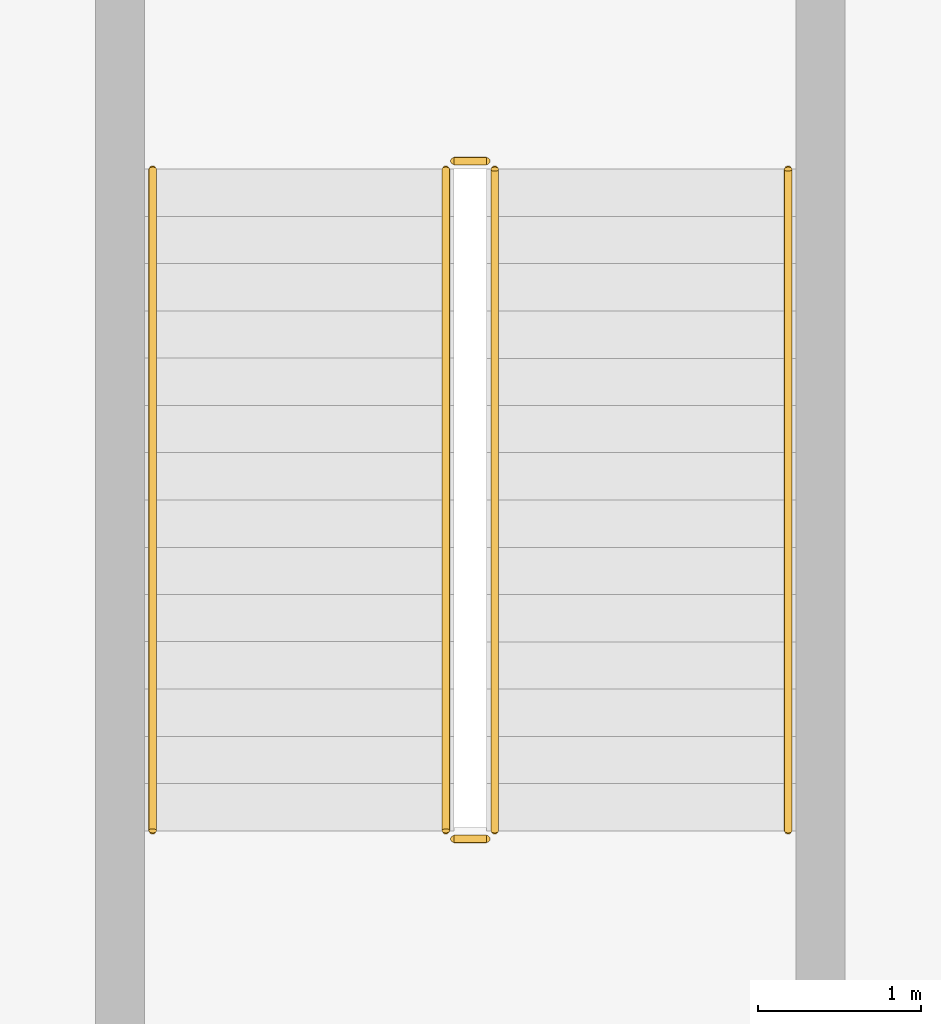
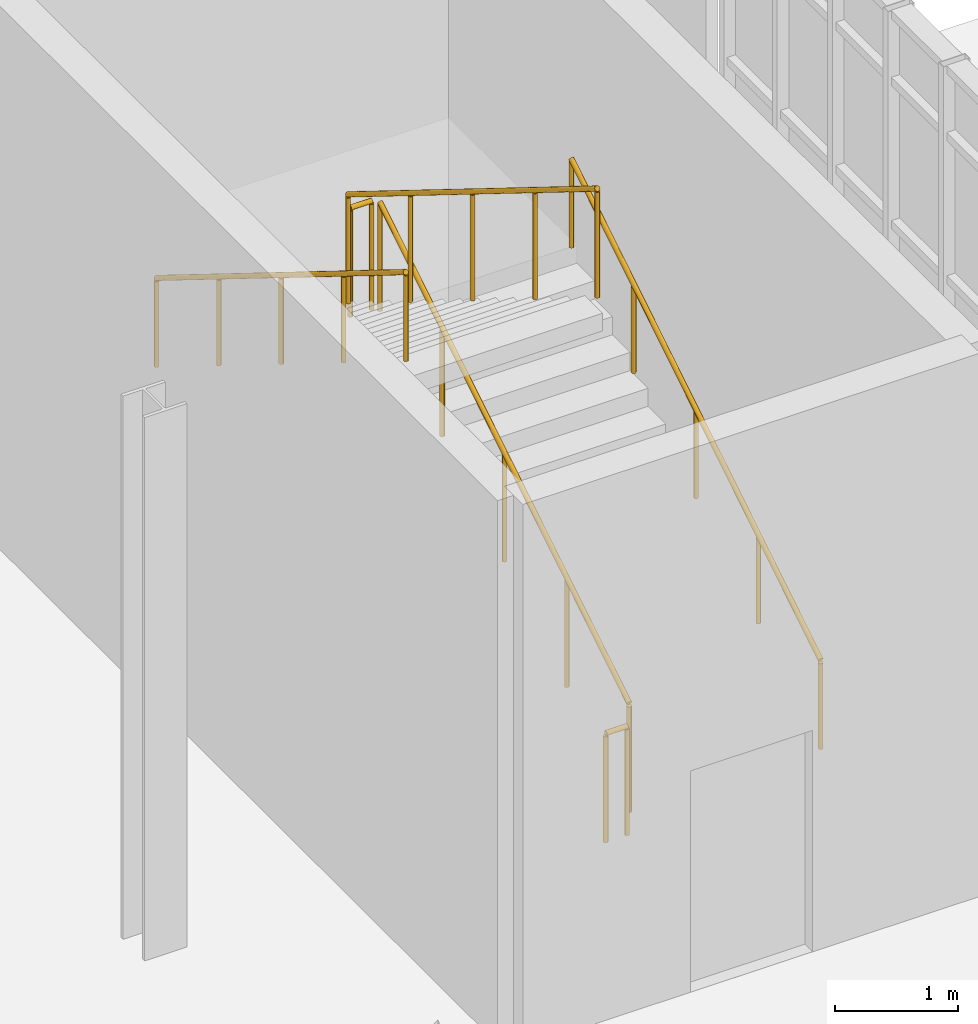
# One storey, part 187 of 189: 6 railings.
"""IFC4 building model written with IfcOpenShell, lengths in metres."""

from ifc_helpers import new_model, si_unit, direction, frame, origin, origin_2d, place, context, subcontext, project, spatial, circle, extrude, material, type_object, element, save


model = new_model("IFC4")

# Units and contexts
model_context = context("Model", 3, precision=1e-05, world=origin(), true_north=direction((0.0, 1.0)))
body_context = subcontext(model_context, "Body", "Model", "MODEL_VIEW")
ifc_project = project(units=[si_unit("LENGTHUNIT", "METRE"), si_unit("AREAUNIT", "SQUARE_METRE"), si_unit("VOLUMEUNIT", "CUBIC_METRE"), si_unit("PLANEANGLEUNIT", "RADIAN"), si_unit("MASSUNIT", "GRAM", prefix="KILO"), si_unit("THERMODYNAMICTEMPERATUREUNIT", "KELVIN"), si_unit("POWERUNIT", "WATT")], contexts=[model_context])

# Site, building, storey
site_placement = place(None, origin())
site = spatial("IfcSite", under=ifc_project, at=site_placement, CompositionType="ELEMENT")
building_placement = place(site_placement, origin())
building = spatial("IfcBuilding", under=site, at=building_placement, Name="Zelmaris Science Centre", CompositionType="ELEMENT")
storey_placement = place(building_placement, origin())
storey = spatial("IfcBuildingStorey", under=building, at=storey_placement, Name="L00", CompositionType="ELEMENT", Elevation=0.0)

# Railings
ifc_material = material(Name="Architectural bronze alloy C28000")
railing_type_1 = type_object("IfcRailingType", Name="Balustrade GD-01 H1120", PredefinedType="BALUSTRADE", material=ifc_material)
railing_1_placement = place(storey_placement, frame((67.14990234375, 79.449951171875, 0.179931640625)))
element("IfcRailing", 1, at=railing_1_placement, inside=storey, type_object=railing_type_1, Name="L00 ST-3 stair guard 1", PredefinedType="BALUSTRADE", context=body_context, shape_type="SweptSolid", body=[
    extrude(circle(Radius=0.02392578125, at=origin_2d()), frame((0.0, 0.0, 1.076171875), z_axis=(0.0, 0.849641744969, 0.527360318194), x_axis=(-1.0, 0.0, 0.0)), (0.0, 0.0, 1.0), 4.778564453125),
    extrude(circle(Radius=0.02099609375, at=origin_2d()), origin(), (0.0, 0.0, 1.0), 1.052001953125),
    extrude(circle(Radius=0.02099609375, at=origin_2d()), frame((0.0, 1.01513671875, 0.6298828125)), (0.0, 0.0, 1.0), 1.052001953125),
    extrude(circle(Radius=0.02099609375, at=origin_2d()), frame((0.0, 2.030029296875, 1.260009765625)), (0.0, 0.0, 1.0), 1.052001953125),
    extrude(circle(Radius=0.02099609375, at=origin_2d()), frame((0.0, 3.044921875, 1.89013671875)), (0.0, 0.0, 1.0), 1.052001953125),
    extrude(circle(Radius=0.02099609375, at=origin_2d()), frame((0.0, 4.06005859375, 2.52001953125)), (0.0, 0.0, 1.0), 1.052001953125),
])
railing_2_placement = place(storey_placement, frame((67.10009765625, 83.56005859375, 2.699951171875)))
element("IfcRailing", 2, at=railing_2_placement, inside=storey, type_object=railing_type_1, Name="L00 ST-3 stair guard 2", PredefinedType="BALUSTRADE", context=body_context, shape_type="SweptSolid", body=[
    extrude(circle(Radius=0.02392578125, at=origin_2d()), frame((0.0, 0.0, 1.076171875), z_axis=(-1.0, 0.0, 0.0), x_axis=(0.0, -1.0, 0.0)), (0.0, 0.0, 1.0), 0.2001953125),
    extrude(circle(Radius=0.02099609375, at=origin_2d()), origin(), (0.0, 0.0, 1.0), 1.052001953125),
    extrude(circle(Radius=0.02099609375, at=origin_2d()), frame((-0.2001953125, 0.0, 0.0)), (0.0, 0.0, 1.0), 1.052001953125),
])
railing_3_placement = place(storey_placement, frame((66.85009765625, 83.510009765625, 2.8798828125)))
element("IfcRailing", 3, at=railing_3_placement, inside=storey, type_object=railing_type_1, Name="L00 ST-3 stair guard 3", PredefinedType="BALUSTRADE", context=body_context, shape_type="SweptSolid", body=[
    extrude(circle(Radius=0.02392578125, at=origin_2d()), frame((0.0, 0.0, 1.076171875), z_axis=(0.0, -0.849641744969, 0.527360318194), x_axis=(1.0, 0.0, 0.0)), (0.0, 0.0, 1.0), 4.778564453125),
    extrude(circle(Radius=0.02099609375, at=origin_2d()), origin(), (0.0, 0.0, 1.0), 1.052001953125),
    extrude(circle(Radius=0.02099609375, at=origin_2d()), frame((0.0, -1.01513671875, 0.6298828125)), (0.0, 0.0, 1.0), 1.052001953125),
    extrude(circle(Radius=0.02099609375, at=origin_2d()), frame((0.0, -2.030029296875, 1.260009765625)), (0.0, 0.0, 1.0), 1.052001953125),
    extrude(circle(Radius=0.02099609375, at=origin_2d()), frame((0.0, -3.044921875, 1.89013671875)), (0.0, 0.0, 1.0), 1.052001953125),
    extrude(circle(Radius=0.02099609375, at=origin_2d()), frame((0.0, -4.06005859375, 2.52001953125)), (0.0, 0.0, 1.0), 1.052001953125),
])
railing_4_placement = place(storey_placement, frame((67.10009765625, 79.39990234375, 0.0)))
element("IfcRailing", 4, at=railing_4_placement, inside=storey, type_object=railing_type_1, Name="L00 ST-3 stair guard 4", PredefinedType="BALUSTRADE", context=body_context, shape_type="SweptSolid", body=[
    extrude(circle(Radius=0.02392578125, at=origin_2d()), frame((0.0, 0.0, 1.076171875), z_axis=(-1.0, 0.0, 0.0), x_axis=(0.0, -1.0, 0.0)), (0.0, 0.0, 1.0), 0.2001953125),
    extrude(circle(Radius=0.02099609375, at=origin_2d()), origin(), (0.0, 0.0, 1.0), 1.052001953125),
    extrude(circle(Radius=0.02099609375, at=origin_2d()), frame((-0.2001953125, 0.0, 0.0)), (0.0, 0.0, 1.0), 1.052001953125),
])
railing_type_2 = type_object("IfcRailingType", Name="Handrail HR-01 H900", PredefinedType="HANDRAIL", material=ifc_material)
railing_5_placement = place(storey_placement, frame((68.949951171875, 79.449951171875, 0.179931640625)))
element("IfcRailing", 5, at=railing_5_placement, inside=storey, type_object=railing_type_2, Name="L00 ST-3 stair handrail 1", PredefinedType="HANDRAIL", context=body_context, shape_type="SweptSolid", body=[
    extrude(circle(Radius=0.02392578125, at=origin_2d()), frame((0.0, 0.0, 0.8759765625), z_axis=(0.0, 0.849641744969, 0.527360318194), x_axis=(-1.0, 0.0, 0.0)), (0.0, 0.0, 1.0), 4.778564453125),
    extrude(circle(Radius=0.02099609375, at=origin_2d()), origin(), (0.0, 0.0, 1.0), 0.851806640625),
    extrude(circle(Radius=0.02099609375, at=origin_2d()), frame((0.0, 1.01513671875, 0.6298828125)), (0.0, 0.0, 1.0), 0.851806640625),
    extrude(circle(Radius=0.02099609375, at=origin_2d()), frame((0.0, 2.030029296875, 1.260009765625)), (0.0, 0.0, 1.0), 0.851806640625),
    extrude(circle(Radius=0.02099609375, at=origin_2d()), frame((0.0, 3.044921875, 1.89013671875)), (0.0, 0.0, 1.0), 0.851806640625),
    extrude(circle(Radius=0.02099609375, at=origin_2d()), frame((0.0, 4.06005859375, 2.52001953125)), (0.0, 0.0, 1.0), 0.851806640625),
])
railing_6_placement = place(storey_placement, frame((65.050048828125, 83.510009765625, 2.8798828125)))
element("IfcRailing", 6, at=railing_6_placement, inside=storey, type_object=railing_type_2, Name="L00 ST-3 stair handrail 2", PredefinedType="HANDRAIL", context=body_context, shape_type="SweptSolid", body=[
    extrude(circle(Radius=0.02392578125, at=origin_2d()), frame((0.0, 0.0, 0.8759765625), z_axis=(0.0, -0.849641744969, 0.527360318194), x_axis=(1.0, 0.0, 0.0)), (0.0, 0.0, 1.0), 4.778564453125),
    extrude(circle(Radius=0.02099609375, at=origin_2d()), origin(), (0.0, 0.0, 1.0), 0.851806640625),
    extrude(circle(Radius=0.02099609375, at=origin_2d()), frame((0.0, -1.01513671875, 0.6298828125)), (0.0, 0.0, 1.0), 0.851806640625),
    extrude(circle(Radius=0.02099609375, at=origin_2d()), frame((0.0, -2.030029296875, 1.260009765625)), (0.0, 0.0, 1.0), 0.851806640625),
    extrude(circle(Radius=0.02099609375, at=origin_2d()), frame((0.0, -3.044921875, 1.89013671875)), (0.0, 0.0, 1.0), 0.851806640625),
    extrude(circle(Radius=0.02099609375, at=origin_2d()), frame((0.0, -4.06005859375, 2.52001953125)), (0.0, 0.0, 1.0), 0.851806640625),
])

save(model, "model.ifc")
